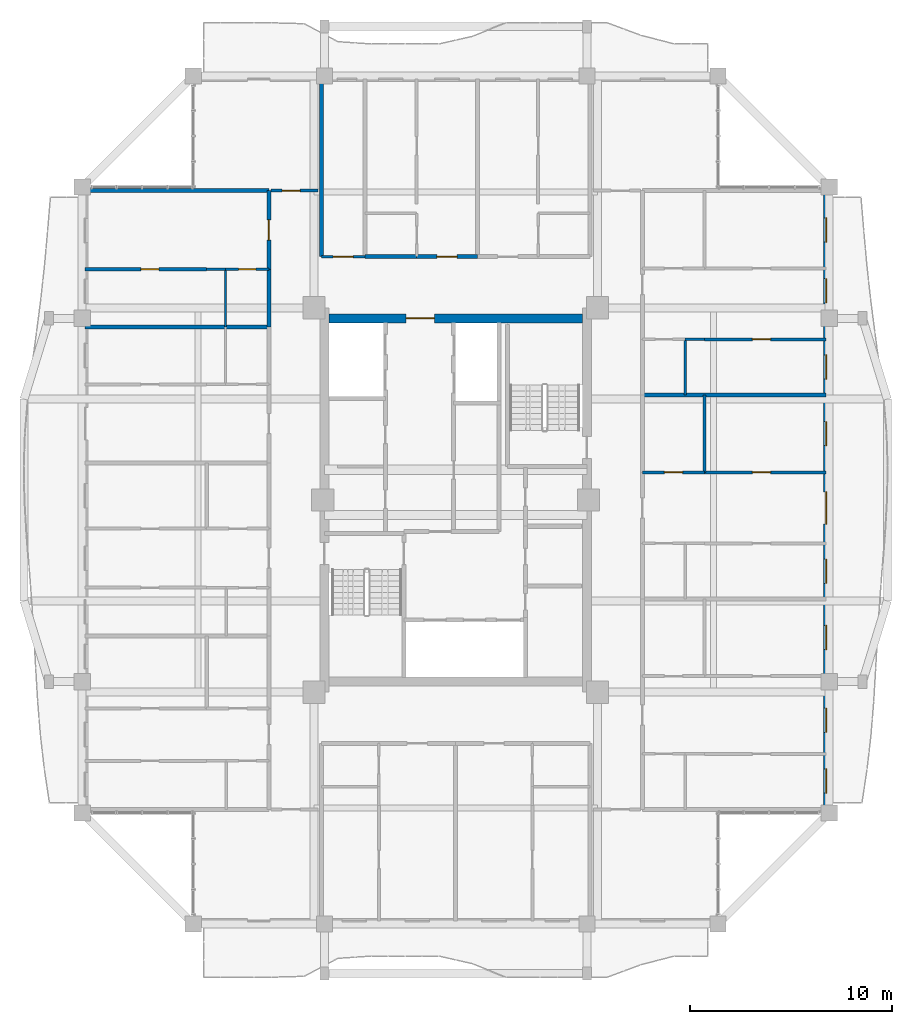
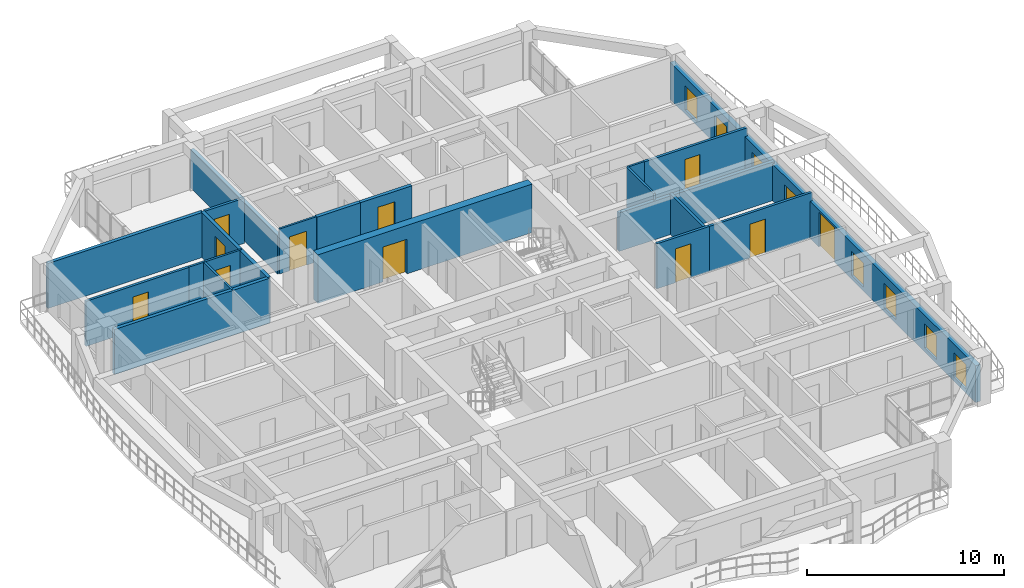
# One storey, part 14 of 22: 22 walls, 11 doors, 8 windows, 19 openings.
"""IFC4 building model written with IfcOpenShell, lengths in metres."""

import ifcopenshell
import ifcopenshell.guid

model = None  # the IFC model being written
_history = None  # IfcOwnerHistory: only IFC2X3 demands one
_inside = {}  # id of a spatial element -> (the spatial element, [elements in it])
_under = {}  # id of a project, library or spatial element -> (it, [spatial elements below it])
_declared = {}  # id of a project -> (the project, [libraries it declares])
_typed = {}  # id of a type object -> (the type object, [elements of that type])
_made_of = {}  # id of a material, layer set ... -> (it, [elements and type objects made of it])


def new_model(schema):
    """Start an empty IFC model of exactly this schema.

    Asked for "IFC4X3", IfcOpenShell would pick the latest addendum, in which some entities
    have other attributes; the version numbers below select the first issue.
    IFC2X3 requires an IfcOwnerHistory on every rooted entity: one is made here for all.
    """
    global model, _history
    if schema == "IFC4X3":
        model = ifcopenshell.file(schema_version=(4, 3, 0, 0))
    else:
        model = ifcopenshell.file(schema=schema)
    _inside.clear()
    _under.clear()
    _declared.clear()
    _typed.clear()
    _made_of.clear()
    _history = None
    if model.schema == "IFC2X3":
        org = make("IfcOrganization", Name="unknown")
        user = make(
            "IfcPersonAndOrganization",
            ThePerson=make("IfcPerson", FamilyName="unknown"),
            TheOrganization=org,
        )
        app = make(
            "IfcApplication",
            ApplicationDeveloper=org,
            Version="unknown",
            ApplicationFullName="unknown",
            ApplicationIdentifier="unknown",
        )
        _history = make(
            "IfcOwnerHistory",
            OwningUser=user,
            OwningApplication=app,
            ChangeAction="ADDED",
            CreationDate=0,
        )
    return model


def make(cls, **values):
    """One entity of the class cls with the attributes given. An attribute that is None is left unset."""
    return model.create_entity(
        cls, **{name: value for name, value in values.items() if value is not None}
    )


def rooted(cls, **values):
    """An entity with a GlobalId (a new one), such as an element, a storey or a relation."""
    return make(cls, GlobalId=ifcopenshell.guid.new(), OwnerHistory=_history, **values)


def si_unit(unit_type, name, prefix=None):
    """IfcSIUnit, for example si_unit("LENGTHUNIT", "METRE", prefix="MILLI")."""
    return make("IfcSIUnit", UnitType=unit_type, Prefix=prefix, Name=name)


def assignment(units):
    """IfcUnitAssignment: the units of a project."""
    return None if units is None else make("IfcUnitAssignment", Units=units)


def point(xyz):
    """IfcCartesianPoint."""
    return None if xyz is None else make("IfcCartesianPoint", Coordinates=xyz)


def direction(xyz):
    """IfcDirection."""
    return None if xyz is None else make("IfcDirection", DirectionRatios=xyz)


def frame(location, z_axis=None, x_axis=None):
    """IfcAxis2Placement3D, a coordinate frame: its origin and axes. An axis left out is left unset."""
    return make(
        "IfcAxis2Placement3D",
        Location=point(location),
        Axis=direction(z_axis),
        RefDirection=direction(x_axis),
    )


def frame_2d(location, x_axis=None):
    """IfcAxis2Placement2D, a coordinate frame in the plane: its origin and x axis."""
    return make(
        "IfcAxis2Placement2D", Location=point(location), RefDirection=direction(x_axis)
    )


def origin():
    """The frame at (0, 0, 0) with its axes left unset."""
    return frame((0.0, 0.0, 0.0))


def place(relative_to, where):
    """IfcLocalPlacement: puts the frame where relative to a parent placement (None: the world)."""
    return make(
        "IfcLocalPlacement", PlacementRelTo=relative_to, RelativePlacement=where
    )


def context(
    kind, dimensions, precision=None, world=None, true_north=None, identifier=None
):
    """IfcGeometricRepresentationContext, for example the 3D "Model" context."""
    return make(
        "IfcGeometricRepresentationContext",
        ContextIdentifier=identifier,
        ContextType=kind,
        CoordinateSpaceDimension=dimensions,
        Precision=precision,
        WorldCoordinateSystem=world,
        TrueNorth=true_north,
    )


def subcontext(parent, identifier, kind, view, scale=None):
    """IfcGeometricRepresentationSubContext, for example "Body" below "Model"."""
    return make(
        "IfcGeometricRepresentationSubContext",
        ContextIdentifier=identifier,
        ContextType=kind,
        ParentContext=parent,
        TargetScale=scale,
        TargetView=view,
    )


def project(units=None, contexts=None):
    """IfcProject with its units and contexts."""
    return rooted(
        "IfcProject",
        Name="project",
        RepresentationContexts=contexts,
        UnitsInContext=assignment(units),
    )


def spatial(cls, under=None, at=None, **own):
    """A site, building, storey or space (cls), placed at a placement, below another one or the project."""
    s = rooted(cls, ObjectPlacement=at, **own)
    if under is not None:
        _under.setdefault(under.id(), (under, []))[1].append(s)
    return s


def profile(cls, at=None, kind="AREA", **sizes):
    """A parametric profile (cls). Its sizes go by their IFC names, for example OverallWidth=200.0."""
    return make(cls, ProfileType=kind, Position=at, **sizes)


def rectangle(**sizes):
    """IfcRectangleProfileDef."""
    return profile("IfcRectangleProfileDef", **sizes)


def extrude(swept, where, along, depth):
    """IfcExtrudedAreaSolid: the profile swept, set in the frame where, extruded along a direction by depth."""
    return make(
        "IfcExtrudedAreaSolid",
        SweptArea=swept,
        Position=where,
        ExtrudedDirection=direction(along),
        Depth=depth,
    )


def shape(context_of_items, identifier, shape_type, items):
    """IfcShapeRepresentation: the items that make up one representation, for example the "Body"."""
    return make(
        "IfcShapeRepresentation",
        ContextOfItems=context_of_items,
        RepresentationIdentifier=identifier,
        RepresentationType=shape_type,
        Items=items,
    )


def source(mapping_origin, context_of_items, identifier, shape_type, items):
    """IfcRepresentationMap: a shape defined once, which mapped items show again and again."""
    return make(
        "IfcRepresentationMap",
        MappingOrigin=mapping_origin,
        MappedRepresentation=shape(context_of_items, identifier, shape_type, items),
    )


def transform(
    local_origin,
    x_axis=None,
    y_axis=None,
    z_axis=None,
    scale=None,
    scale2=None,
    scale3=None,
    uniform=True,
):
    """IfcCartesianTransformationOperator3D, or its non-uniform kind. x_axis, y_axis, z_axis: its Axis1, 2, 3."""
    if uniform:
        return make(
            "IfcCartesianTransformationOperator3D",
            Axis1=direction(x_axis),
            Axis2=direction(y_axis),
            LocalOrigin=point(local_origin),
            Scale=scale,
            Axis3=direction(z_axis),
        )
    return make(
        "IfcCartesianTransformationOperator3DnonUniform",
        Axis1=direction(x_axis),
        Axis2=direction(y_axis),
        LocalOrigin=point(local_origin),
        Scale=scale,
        Axis3=direction(z_axis),
        Scale2=scale2,
        Scale3=scale3,
    )


def mapped(mapping_source, mapping_target):
    """IfcMappedItem: shows the shape of a source again, moved by a transform."""
    return make(
        "IfcMappedItem", MappingSource=mapping_source, MappingTarget=mapping_target
    )


def material(Name=None, Category=None):
    """IfcMaterial."""
    return make("IfcMaterial", Name=Name, Category=Category)


def layer(
    of_material, thickness, ventilated=None, Name=None, Category=None, Priority=None
):
    """IfcMaterialLayer: one layer of a wall or slab, of a material (None: an air gap)."""
    return make(
        "IfcMaterialLayer",
        Material=of_material,
        LayerThickness=thickness,
        IsVentilated=ventilated,
        Name=Name,
        Category=Category,
        Priority=Priority,
    )


def layer_set(layers, Name=None):
    """IfcMaterialLayerSet."""
    return make("IfcMaterialLayerSet", MaterialLayers=layers, LayerSetName=Name)


def made_of(thing, what):
    """Note that an element or type object is made of a material, layer set ...; save() writes the relation."""
    if what is not None:
        _made_of.setdefault(what.id(), (what, []))[1].append(thing)
    return thing


def type_object(cls, material=None, **own):
    """A type object (cls), such as IfcWallType, which elements share."""
    return made_of(rooted(cls, **own), material)


def element(
    cls,
    number,
    at=None,
    inside=None,
    cuts=None,
    type_object=None,
    material=None,
    context=None,
    identifier="Body",
    shape_type=None,
    held_by="IfcProductDefinitionShape",
    body=None,
    shapes=None,
    **own,
):
    """One element of the class cls, such as IfcWall. Its Tag is "e" and its number.

    at: its placement. inside: the storey or other place that contains it. cuts: it is an
    opening in that element (IfcRelVoidsElement). A single representation is given by context,
    identifier, shape_type and body (its items); several are given by shapes. held_by: the class
    of the entity that holds the representations. save() writes the other relations.
    """
    e = rooted(cls, Tag="e%d" % number, ObjectPlacement=at, **own)
    if body is not None:
        shapes = [shape(context, identifier, shape_type, body)]
    if shapes is not None:
        e.Representation = make(held_by, Representations=shapes)
    if inside is not None:
        _inside.setdefault(inside.id(), (inside, []))[1].append(e)
    if cuts is not None:
        rooted(
            "IfcRelVoidsElement", RelatingBuildingElement=cuts, RelatedOpeningElement=e
        )
    if type_object is not None:
        _typed.setdefault(type_object.id(), (type_object, []))[1].append(e)
    return made_of(e, material)


def fill(opening, filler):
    """IfcRelFillsElement: the door or window that sits in an opening."""
    return rooted(
        "IfcRelFillsElement",
        RelatingOpeningElement=opening,
        RelatedBuildingElement=filler,
    )


def aggregate(whole, parts):
    """IfcRelAggregates: a whole, such as a stair, and the parts it consists of."""
    return rooted("IfcRelAggregates", RelatingObject=whole, RelatedObjects=parts)


def save(model, path):
    """Write the relations noted so far, then the file.

    IfcRelAggregates (storeys below a building ...), IfcRelContainedInSpatialStructure (elements
    in a storey), IfcRelDefinesByType, IfcRelAssociatesMaterial and IfcRelDeclares: one each for
    every whole, place, type object, material and project.
    """
    for whole, parts in _under.values():
        aggregate(whole, parts)
    for where, things in _inside.values():
        rooted(
            "IfcRelContainedInSpatialStructure",
            RelatedElements=things,
            RelatingStructure=where,
        )
    for kind, things in _typed.values():
        rooted("IfcRelDefinesByType", RelatedObjects=things, RelatingType=kind)
    for what, things in _made_of.values():
        rooted("IfcRelAssociatesMaterial", RelatedObjects=things, RelatingMaterial=what)
    for by, libraries in _declared.values():
        rooted("IfcRelDeclares", RelatingContext=by, RelatedDefinitions=libraries)
    model.write(path)


model = new_model("IFC4")

# Units and contexts
model_context = context("Model", 3, precision=1e-05, world=origin(), true_north=direction((0.0, 1.0)))
body_context = subcontext(model_context, "Body", "Model", "MODEL_VIEW")
ifc_project = project(units=[si_unit("LENGTHUNIT", "METRE"), si_unit("AREAUNIT", "SQUARE_METRE"), si_unit("VOLUMEUNIT", "CUBIC_METRE"), si_unit("PLANEANGLEUNIT", "RADIAN"), si_unit("MASSUNIT", "GRAM", prefix="KILO")], contexts=[model_context])

# Site, building, storey
site_placement = place(None, origin())
site = spatial("IfcSite", under=ifc_project, at=site_placement, CompositionType="ELEMENT")
building_placement = place(site_placement, origin())
building = spatial("IfcBuilding", under=site, at=building_placement, Name="Saelheon Loggia Tower", CompositionType="ELEMENT")
storey_placement = place(building_placement, frame((0.0, 0.0, 196.60009765625)))
storey = spatial("IfcBuildingStorey", under=building, at=storey_placement, Name="L61", CompositionType="ELEMENT", Elevation=196.60009765625)

# Wall, opening, door
ifc_material_1 = material(Name="Concrete C45/55", Category="concrete")
ifc_layer_1 = layer(ifc_material_1, 0.449951171875)
ifc_layer_set_1 = layer_set([ifc_layer_1], Name="Concrete C45/55")
wall_type_1 = type_object("IfcWallType", Name="Wall_CoreShear_450", PredefinedType="SHEAR", material=ifc_layer_set_1)
wall_1_placement = place(storey_placement, frame((31.72509765625, 36.0, 0.0), z_axis=(0.0, 0.0, 1.0), x_axis=(1.0, 0.0, 0.0)))
wall_1 = element("IfcWall", 1, at=wall_1_placement, inside=storey, type_object=wall_type_1, Name="L61 Core Shear Wall North", PredefinedType="SHEAR", context=body_context, shape_type="SweptSolid", body=[
    extrude(rectangle(XDim=12.5498046875, YDim=0.449951171875, at=frame_2d((6.27490234375, 0.0))), origin(), (0.0, 0.0, 1.0), 3.0),
])
opening_1_placement = place(wall_1_placement, frame((5.224853515625, 0.0, 0.0), z_axis=(0.0, 0.0, 1.0), x_axis=(-1.0, 0.0, 0.0)))
opening_1 = element("IfcOpeningElement", 2, at=opening_1_placement, cuts=wall_1, Name="Opening D-FD2L", PredefinedType="OPENING", context=body_context, shape_type="SweptSolid", body=[
    extrude(rectangle(XDim=1.39990234375, YDim=2.14990234375, at=frame_2d((0.699951171875, 1.074951171875))), frame((0.0, 0.237060546875, 0.0), z_axis=(0.0, -1.0, 0.0), x_axis=(1.0, 0.0, 0.0)), (0.0, 0.0, 1.0), 0.473876953125),
])
ifc_material_2 = material(Name="Galvanised Steel Glazed Lobby Fire Door", Category="steel")
door_type_1 = type_object("IfcDoorType", Name="Door_Fire_FD60_1400", OperationType="NOTDEFINED", PredefinedType="DOOR", material=ifc_material_2)
shared_shape_1 = source(origin(), body_context, "Body", "SweptSolid", [
    extrude(rectangle(XDim=1.39990234375, YDim=2.14990234375, at=frame_2d((0.699951171875, 1.074951171875))), frame((0.0, 0.02490234375, 0.0), z_axis=(0.0, -1.0, 0.0), x_axis=(1.0, 0.0, 0.0)), (0.0, 0.0, 1.0), 0.050048828125),
])
door_1_placement = place(opening_1_placement, origin())
door_1 = element("IfcDoor", 3, at=door_1_placement, inside=storey, type_object=door_type_1, Name="L61 Passenger Lift Lobby Main Door", OperationType="SINGLE_SWING_RIGHT", OverallHeight=2.14990234375, OverallWidth=1.39990234375, PredefinedType="DOOR", context=body_context, shape_type="MappedRepresentation", body=[
    mapped(shared_shape_1, transform((0.0, 0.0, 0.0), scale=1.0)),
])
fill(opening_1, door_1)

# Wall, openings, windows, door
ifc_material_3 = material(Name="Architectural Precast Concrete C40/50", Category="concrete")
ifc_layer_2 = layer(ifc_material_3, 0.280029296875)
ifc_layer_set_2 = layer_set([ifc_layer_2], Name="Architectural Precast Concrete C40/50")
wall_type_2 = type_object("IfcWallType", Name="Wall_Ext_Loggia_280", PredefinedType="SOLIDWALL", material=ifc_layer_set_2)
wall_2_placement = place(storey_placement, frame((56.360107421875, 11.5, 0.0), z_axis=(0.0, 0.0, 1.0), x_axis=(0.0, 1.0, 0.0)))
wall_2 = element("IfcWall", 4, at=wall_2_placement, inside=storey, type_object=wall_type_2, Name="L61 East Loggia Inner Wall", PredefinedType="SOLIDWALL", context=body_context, shape_type="SweptSolid", body=[
    extrude(rectangle(XDim=31.0, YDim=0.280029296875, at=frame_2d((15.5, 0.0))), origin(), (0.0, 0.0, 1.0), 2.27978515625),
])
opening_2_placement = place(wall_2_placement, frame((0.985107421875, 0.0, 0.25)))
opening_2 = element("IfcOpeningElement", 5, at=opening_2_placement, cuts=wall_2, Name="Opening WN-03", PredefinedType="OPENING", context=body_context, shape_type="SweptSolid", body=[
    extrude(rectangle(XDim=1.199951171875, YDim=1.5, at=frame_2d((0.60009765625, 0.75))), frame((0.0, 0.152099609375, 0.0), z_axis=(0.0, -1.0, 0.0), x_axis=(1.0, 0.0, 0.0)), (0.0, 0.0, 1.0), 0.303955078125),
])
opening_3_placement = place(wall_2_placement, frame((3.9951171875, 0.0, 0.25)))
opening_3 = element("IfcOpeningElement", 6, at=opening_3_placement, cuts=wall_2, Name="Opening WN-03", PredefinedType="OPENING", context=body_context, shape_type="SweptSolid", body=[
    extrude(rectangle(XDim=1.199951171875, YDim=1.5, at=frame_2d((0.60009765625, 0.75))), frame((0.0, 0.152099609375, 0.0), z_axis=(0.0, -1.0, 0.0), x_axis=(1.0, 0.0, 0.0)), (0.0, 0.0, 1.0), 0.303955078125),
])
opening_4_placement = place(wall_2_placement, frame((8.0888671875, 0.0, 0.25)))
opening_4 = element("IfcOpeningElement", 7, at=opening_4_placement, cuts=wall_2, Name="Opening WN-03", PredefinedType="OPENING", context=body_context, shape_type="SweptSolid", body=[
    extrude(rectangle(XDim=1.199951171875, YDim=1.5, at=frame_2d((0.60009765625, 0.75))), frame((0.0, 0.152099609375, 0.0), z_axis=(0.0, -1.0, 0.0), x_axis=(1.0, 0.0, 0.0)), (0.0, 0.0, 1.0), 0.303955078125),
])
opening_5_placement = place(wall_2_placement, frame((11.37255859375, 0.0, 0.25)))
opening_5 = element("IfcOpeningElement", 8, at=opening_5_placement, cuts=wall_2, Name="Opening WN-03", PredefinedType="OPENING", context=body_context, shape_type="SweptSolid", body=[
    extrude(rectangle(XDim=1.199951171875, YDim=1.5, at=frame_2d((0.60009765625, 0.75))), frame((0.0, 0.152099609375, 0.0), z_axis=(0.0, -1.0, 0.0), x_axis=(1.0, 0.0, 0.0)), (0.0, 0.0, 1.0), 0.303955078125),
])
opening_6_placement = place(wall_2_placement, frame((15.906982421875, 0.0, 0.0), z_axis=(0.0, 0.0, 1.0), x_axis=(-1.0, 0.0, 0.0)))
opening_6 = element("IfcOpeningElement", 9, at=opening_6_placement, cuts=wall_2, Name="Opening DLG-1", PredefinedType="OPENING", context=body_context, shape_type="SweptSolid", body=[
    extrude(rectangle(XDim=1.60009765625, YDim=2.14990234375, at=frame_2d((0.800048828125, 1.074951171875))), frame((0.0, 0.152099609375, 0.0), z_axis=(0.0, -1.0, 0.0), x_axis=(1.0, 0.0, 0.0)), (0.0, 0.0, 1.0), 0.303955078125),
])
opening_7_placement = place(wall_2_placement, frame((18.1875, 0.0, 0.25)))
opening_7 = element("IfcOpeningElement", 10, at=opening_7_placement, cuts=wall_2, Name="Opening WN-03", PredefinedType="OPENING", context=body_context, shape_type="SweptSolid", body=[
    extrude(rectangle(XDim=1.199951171875, YDim=1.5, at=frame_2d((0.60009765625, 0.75))), frame((0.0, 0.152099609375, 0.0), z_axis=(0.0, -1.0, 0.0), x_axis=(1.0, 0.0, 0.0)), (0.0, 0.0, 1.0), 0.303955078125),
])
opening_8_placement = place(wall_2_placement, frame((21.48388671875, 0.0, 0.25)))
opening_8 = element("IfcOpeningElement", 11, at=opening_8_placement, cuts=wall_2, Name="Opening WN-03", PredefinedType="OPENING", context=body_context, shape_type="SweptSolid", body=[
    extrude(rectangle(XDim=1.199951171875, YDim=1.5, at=frame_2d((0.60009765625, 0.75))), frame((0.0, 0.152099609375, 0.0), z_axis=(0.0, -1.0, 0.0), x_axis=(1.0, 0.0, 0.0)), (0.0, 0.0, 1.0), 0.303955078125),
])
opening_9_placement = place(wall_2_placement, frame((25.2587890625, 0.0, 0.25)))
opening_9 = element("IfcOpeningElement", 12, at=opening_9_placement, cuts=wall_2, Name="Opening WN-03", PredefinedType="OPENING", context=body_context, shape_type="SweptSolid", body=[
    extrude(rectangle(XDim=1.199951171875, YDim=1.5, at=frame_2d((0.60009765625, 0.75))), frame((0.0, 0.152099609375, 0.0), z_axis=(0.0, -1.0, 0.0), x_axis=(1.0, 0.0, 0.0)), (0.0, 0.0, 1.0), 0.303955078125),
])
opening_10_placement = place(wall_2_placement, frame((28.268798828125, 0.0, 0.25)))
opening_10 = element("IfcOpeningElement", 13, at=opening_10_placement, cuts=wall_2, Name="Opening WN-03", PredefinedType="OPENING", context=body_context, shape_type="SweptSolid", body=[
    extrude(rectangle(XDim=1.199951171875, YDim=1.5, at=frame_2d((0.60009765625, 0.75))), frame((0.0, 0.152099609375, 0.0), z_axis=(0.0, -1.0, 0.0), x_axis=(1.0, 0.0, 0.0)), (0.0, 0.0, 1.0), 0.303955078125),
])
ifc_material_4 = material(Name="Thermal-Break Aluminium and Triple Low-E Glass", Category="aluminium")
window_type = type_object("IfcWindowType", Name="Win_Bedroom_1200x1500", PartitioningType="SINGLE_PANEL", PredefinedType="WINDOW", material=ifc_material_4)
shared_shape_2 = source(origin(), body_context, "Body", "SweptSolid", [
    extrude(rectangle(XDim=1.199951171875, YDim=1.5, at=frame_2d((0.60009765625, 0.75))), frame((0.0, 0.030029296875, 0.0), z_axis=(0.0, -1.0, 0.0), x_axis=(1.0, 0.0, 0.0)), (0.0, 0.0, 1.0), 0.06005859375),
])
window_1_placement = place(opening_2_placement, origin())
window_1 = element("IfcWindow", 14, at=window_1_placement, inside=storey, type_object=window_type, Name="L61 E Dwelling Window 1", OverallHeight=1.5, OverallWidth=1.199951171875, PartitioningType="SINGLE_PANEL", PredefinedType="WINDOW", context=body_context, shape_type="MappedRepresentation", body=[
    mapped(shared_shape_2, transform((0.0, 0.0, 0.0), scale=1.0)),
])
fill(opening_2, window_1)
window_2_placement = place(opening_3_placement, origin())
window_2 = element("IfcWindow", 15, at=window_2_placement, inside=storey, type_object=window_type, Name="L61 E Dwelling Window 2", OverallHeight=1.5, OverallWidth=1.199951171875, PartitioningType="SINGLE_PANEL", PredefinedType="WINDOW", context=body_context, shape_type="MappedRepresentation", body=[
    mapped(shared_shape_2, transform((0.0, 0.0, 0.0), scale=1.0)),
])
fill(opening_3, window_2)
window_3_placement = place(opening_4_placement, origin())
window_3 = element("IfcWindow", 16, at=window_3_placement, inside=storey, type_object=window_type, Name="L61 E Dwelling Window 3", OverallHeight=1.5, OverallWidth=1.199951171875, PartitioningType="SINGLE_PANEL", PredefinedType="WINDOW", context=body_context, shape_type="MappedRepresentation", body=[
    mapped(shared_shape_2, transform((0.0, 0.0, 0.0), scale=1.0)),
])
fill(opening_4, window_3)
window_4_placement = place(opening_5_placement, origin())
window_4 = element("IfcWindow", 17, at=window_4_placement, inside=storey, type_object=window_type, Name="L61 E Dwelling Window 4", OverallHeight=1.5, OverallWidth=1.199951171875, PartitioningType="SINGLE_PANEL", PredefinedType="WINDOW", context=body_context, shape_type="MappedRepresentation", body=[
    mapped(shared_shape_2, transform((0.0, 0.0, 0.0), scale=1.0)),
])
fill(opening_5, window_4)
window_5_placement = place(opening_7_placement, origin())
window_5 = element("IfcWindow", 18, at=window_5_placement, inside=storey, type_object=window_type, Name="L61 E Dwelling Window 6", OverallHeight=1.5, OverallWidth=1.199951171875, PartitioningType="SINGLE_PANEL", PredefinedType="WINDOW", context=body_context, shape_type="MappedRepresentation", body=[
    mapped(shared_shape_2, transform((0.0, 0.0, 0.0), scale=1.0)),
])
fill(opening_7, window_5)
window_6_placement = place(opening_8_placement, origin())
window_6 = element("IfcWindow", 19, at=window_6_placement, inside=storey, type_object=window_type, Name="L61 E Dwelling Window 7", OverallHeight=1.5, OverallWidth=1.199951171875, PartitioningType="SINGLE_PANEL", PredefinedType="WINDOW", context=body_context, shape_type="MappedRepresentation", body=[
    mapped(shared_shape_2, transform((0.0, 0.0, 0.0), scale=1.0)),
])
fill(opening_8, window_6)
window_7_placement = place(opening_9_placement, origin())
window_7 = element("IfcWindow", 20, at=window_7_placement, inside=storey, type_object=window_type, Name="L61 E Dwelling Window 8", OverallHeight=1.5, OverallWidth=1.199951171875, PartitioningType="SINGLE_PANEL", PredefinedType="WINDOW", context=body_context, shape_type="MappedRepresentation", body=[
    mapped(shared_shape_2, transform((0.0, 0.0, 0.0), scale=1.0)),
])
fill(opening_9, window_7)
window_8_placement = place(opening_10_placement, origin())
window_8 = element("IfcWindow", 21, at=window_8_placement, inside=storey, type_object=window_type, Name="L61 E Dwelling Window 9", OverallHeight=1.5, OverallWidth=1.199951171875, PartitioningType="SINGLE_PANEL", PredefinedType="WINDOW", context=body_context, shape_type="MappedRepresentation", body=[
    mapped(shared_shape_2, transform((0.0, 0.0, 0.0), scale=1.0)),
])
fill(opening_10, window_8)
ifc_material_5 = material(Name="Thermal-Break Aluminium Sliding Glazed Door", Category="aluminium")
door_type_2 = type_object("IfcDoorType", Name="Door_LoggiaSlide_1600", OperationType="SLIDING_TO_LEFT", PredefinedType="DOOR", material=ifc_material_5)
shared_shape_3 = source(origin(), body_context, "Body", "SweptSolid", [
    extrude(rectangle(XDim=1.60009765625, YDim=2.14990234375, at=frame_2d((0.800048828125, 1.074951171875))), frame((0.0, 0.02490234375, 0.0), z_axis=(0.0, -1.0, 0.0), x_axis=(1.0, 0.0, 0.0)), (0.0, 0.0, 1.0), 0.050048828125),
])
door_2_placement = place(opening_6_placement, origin())
door_2 = element("IfcDoor", 22, at=door_2_placement, inside=storey, type_object=door_type_2, Name="L61 E Loggia Access Door", OperationType="SLIDING_TO_LEFT", OverallHeight=2.14990234375, OverallWidth=1.60009765625, PredefinedType="DOOR", context=body_context, shape_type="MappedRepresentation", body=[
    mapped(shared_shape_3, transform((0.0, 0.0, 0.0), scale=1.0)),
])
fill(opening_6, door_2)

# Wall, opening, door
ifc_material_6 = material(Name="Lightweight Autoclaved Aerated Concrete Block and Acoustic Gypsum", Category="concrete")
ifc_layer_3 = layer(ifc_material_6, 0.14990234375)
ifc_layer_set_3 = layer_set([ifc_layer_3], Name="Lightweight Autoclaved Aerated Concrete Block and Acoustic Gypsum")
wall_type_3 = type_object("IfcWallType", Name="Wall_Part_150", PredefinedType="PARTITIONING", material=ifc_layer_set_3)
wall_3_placement = place(storey_placement, frame((28.85009765625, 42.320068359375, 0.0), z_axis=(0.0, 0.0, 1.0), x_axis=(1.0, 0.0, 0.0)))
wall_3 = element("IfcWall", 23, at=wall_3_placement, inside=storey, type_object=wall_type_3, Name="PW-L61-CNW-H", PredefinedType="PARTITIONING", context=body_context, shape_type="SweptSolid", body=[
    extrude(rectangle(XDim=2.329833984375, YDim=0.14990234375, at=frame_2d((1.1650390625, 0.0))), origin(), (0.0, 0.0, 1.0), 2.789794921875),
])
opening_11_placement = place(wall_3_placement, frame((0.550048828125, 0.0, 0.0)))
opening_11 = element("IfcOpeningElement", 24, at=opening_11_placement, cuts=wall_3, Name="Opening D-IN2", PredefinedType="OPENING", context=body_context, shape_type="SweptSolid", body=[
    extrude(rectangle(XDim=0.89990234375, YDim=2.10009765625, at=frame_2d((0.449951171875, 1.050048828125))), frame((0.0, 0.0869140625, 0.0), z_axis=(0.0, -1.0, 0.0), x_axis=(1.0, 0.0, 0.0)), (0.0, 0.0, 1.0), 0.173828125),
])
ifc_material_7 = material(Name="Engineered Oak Flush Door", Category="timber")
door_type_3 = type_object("IfcDoorType", Name="Door_Int_900", OperationType="NOTDEFINED", PredefinedType="DOOR", material=ifc_material_7)
shared_shape_4 = source(origin(), body_context, "Body", "SweptSolid", [
    extrude(rectangle(XDim=0.89990234375, YDim=2.10009765625, at=frame_2d((0.449951171875, 1.050048828125))), frame((0.0, 0.02490234375, 0.0), z_axis=(0.0, -1.0, 0.0), x_axis=(1.0, 0.0, 0.0)), (0.0, 0.0, 1.0), 0.050048828125),
])
door_3_placement = place(opening_11_placement, origin())
door_3 = element("IfcDoor", 25, at=door_3_placement, inside=storey, type_object=door_type_3, Name="L61 Corner Home Office NW Door", OperationType="SINGLE_SWING_LEFT", OverallHeight=2.10009765625, OverallWidth=0.89990234375, PredefinedType="DOOR", context=body_context, shape_type="MappedRepresentation", body=[
    mapped(shared_shape_4, transform((0.0, 0.0, 0.0), scale=1.0)),
])
fill(opening_11, door_3)

wall_4_placement = place(storey_placement, frame((25.669921875, 38.42919921875, 0.0), z_axis=(0.0, 0.0, 1.0), x_axis=(-1.0, 0.0, 0.0)))
wall_4 = element("IfcWall", 26, at=wall_4_placement, inside=storey, type_object=wall_type_3, Name="L61 W Partition U37", PredefinedType="PARTITIONING", context=body_context, shape_type="SweptSolid", body=[
    extrude(rectangle(XDim=6.02001953125, YDim=0.14990234375, at=frame_2d((3.010009765625, 0.0))), origin(), (0.0, 0.0, 1.0), 2.789794921875),
])
opening_12_placement = place(wall_4_placement, frame((2.36669921875, 0.0, 0.0)))
opening_12 = element("IfcOpeningElement", 27, at=opening_12_placement, cuts=wall_4, Name="Opening D-IN2", PredefinedType="OPENING", context=body_context, shape_type="SweptSolid", body=[
    extrude(rectangle(XDim=0.89990234375, YDim=2.10009765625, at=frame_2d((0.449951171875, 1.050048828125))), frame((0.0, 0.0869140625, 0.0), z_axis=(0.0, -1.0, 0.0), x_axis=(1.0, 0.0, 0.0)), (0.0, 0.0, 1.0), 0.173828125),
])
door_4_placement = place(opening_12_placement, origin())
door_4 = element("IfcDoor", 28, at=door_4_placement, inside=storey, type_object=door_type_3, Name="Unit U08 Kitchen Door", OperationType="SINGLE_SWING_RIGHT", OverallHeight=2.10009765625, OverallWidth=0.89990234375, PredefinedType="DOOR", context=body_context, shape_type="MappedRepresentation", body=[
    mapped(shared_shape_4, transform((0.0, 0.0, 0.0), scale=1.0)),
])
fill(opening_12, door_4)

# Wall
wall_5_placement = place(storey_placement, frame((50.330078125, 28.366455078125, 0.0), z_axis=(0.0, 0.0, 1.0), x_axis=(0.0, 1.0, 0.0)))
element("IfcWall", 29, at=wall_5_placement, inside=storey, type_object=wall_type_3, Name="L61 E Partition V18", PredefinedType="PARTITIONING", context=body_context, shape_type="SweptSolid", body=[
    extrude(rectangle(XDim=3.84228515625, YDim=0.14990234375, at=frame_2d((1.921142578125, 0.0))), origin(), (0.0, 0.0, 1.0), 2.489990234375),
])

# Wall, opening, door
wall_6_placement = place(storey_placement, frame((47.25, 28.366455078125, 0.0), z_axis=(0.0, 0.0, 1.0), x_axis=(1.0, 0.0, 0.0)))
wall_6 = element("IfcWall", 30, at=wall_6_placement, inside=storey, type_object=wall_type_3, Name="L61 E Partition U22", PredefinedType="PARTITIONING", context=body_context, shape_type="SweptSolid", body=[
    extrude(rectangle(XDim=3.080078125, YDim=0.14990234375, at=frame_2d((1.5400390625, 0.0))), origin(), (0.0, 0.0, 1.0), 2.789794921875),
])
opening_13_placement = place(wall_6_placement, frame((1.090087890625, 0.0, 0.0)))
opening_13 = element("IfcOpeningElement", 31, at=opening_13_placement, cuts=wall_6, Name="Opening D-IN2", PredefinedType="OPENING", context=body_context, shape_type="SweptSolid", body=[
    extrude(rectangle(XDim=0.89990234375, YDim=2.10009765625, at=frame_2d((0.449951171875, 1.050048828125))), frame((0.0, 0.0869140625, 0.0), z_axis=(0.0, -1.0, 0.0), x_axis=(1.0, 0.0, 0.0)), (0.0, 0.0, 1.0), 0.173828125),
])
door_5_placement = place(opening_13_placement, origin())
door_5 = element("IfcDoor", 32, at=door_5_placement, inside=storey, type_object=door_type_3, Name="Unit U10 Home Office Door", OperationType="SINGLE_SWING_LEFT", OverallHeight=2.10009765625, OverallWidth=0.89990234375, PredefinedType="DOOR", context=body_context, shape_type="MappedRepresentation", body=[
    mapped(shared_shape_4, transform((0.0, 0.0, 0.0), scale=1.0)),
])
fill(opening_13, door_5)

wall_7_placement = place(storey_placement, frame((50.330078125, 28.366455078125, 0.0), z_axis=(0.0, 0.0, 1.0), x_axis=(1.0, 0.0, 0.0)))
wall_7 = element("IfcWall", 33, at=wall_7_placement, inside=storey, type_object=wall_type_3, Name="L61 E Partition U23", PredefinedType="PARTITIONING", context=body_context, shape_type="SweptSolid", body=[
    extrude(rectangle(XDim=6.02001953125, YDim=0.14990234375, at=frame_2d((3.010009765625, 0.0))), origin(), (0.0, 0.0, 1.0), 2.789794921875),
])
opening_14_placement = place(wall_7_placement, frame((2.36669921875, 0.0, 0.0)))
opening_14 = element("IfcOpeningElement", 34, at=opening_14_placement, cuts=wall_7, Name="Opening D-IN2", PredefinedType="OPENING", context=body_context, shape_type="SweptSolid", body=[
    extrude(rectangle(XDim=0.89990234375, YDim=2.10009765625, at=frame_2d((0.449951171875, 1.050048828125))), frame((0.0, 0.0869140625, 0.0), z_axis=(0.0, -1.0, 0.0), x_axis=(1.0, 0.0, 0.0)), (0.0, 0.0, 1.0), 0.173828125),
])
door_6_placement = place(opening_14_placement, origin())
door_6 = element("IfcDoor", 35, at=door_6_placement, inside=storey, type_object=door_type_3, Name="Unit U10 Bedroom 1 Door", OperationType="SINGLE_SWING_RIGHT", OverallHeight=2.10009765625, OverallWidth=0.89990234375, PredefinedType="DOOR", context=body_context, shape_type="MappedRepresentation", body=[
    mapped(shared_shape_4, transform((0.0, 0.0, 0.0), scale=1.0)),
])
fill(opening_14, door_6)

wall_8_placement = place(storey_placement, frame((50.330078125, 34.958740234375, 0.0), z_axis=(0.0, 0.0, 1.0), x_axis=(1.0, 0.0, 0.0)))
wall_8 = element("IfcWall", 36, at=wall_8_placement, inside=storey, type_object=wall_type_3, Name="L61 E Partition U32", PredefinedType="PARTITIONING", context=body_context, shape_type="SweptSolid", body=[
    extrude(rectangle(XDim=6.02001953125, YDim=0.14990234375, at=frame_2d((3.010009765625, 0.0))), origin(), (0.0, 0.0, 1.0), 2.789794921875),
])
opening_15_placement = place(wall_8_placement, frame((2.36669921875, 0.0, 0.0)))
opening_15 = element("IfcOpeningElement", 37, at=opening_15_placement, cuts=wall_8, Name="Opening D-IN2", PredefinedType="OPENING", context=body_context, shape_type="SweptSolid", body=[
    extrude(rectangle(XDim=0.89990234375, YDim=2.10009765625, at=frame_2d((0.449951171875, 1.050048828125))), frame((0.0, 0.0869140625, 0.0), z_axis=(0.0, -1.0, 0.0), x_axis=(1.0, 0.0, 0.0)), (0.0, 0.0, 1.0), 0.173828125),
])
door_7_placement = place(opening_15_placement, origin())
door_7 = element("IfcDoor", 38, at=door_7_placement, inside=storey, type_object=door_type_3, Name="Unit U11 Kitchen Door", OperationType="SINGLE_SWING_LEFT", OverallHeight=2.10009765625, OverallWidth=0.89990234375, PredefinedType="DOOR", context=body_context, shape_type="MappedRepresentation", body=[
    mapped(shared_shape_4, transform((0.0, 0.0, 0.0), scale=1.0)),
])
fill(opening_15, door_7)

# Walls
ifc_material_8 = material(Name="Double Acoustic Stud and Fireboard Partition", Category="gypsum")
ifc_layer_4 = layer(ifc_material_8, 0.199951171875)
ifc_layer_set_4 = layer_set([ifc_layer_4], Name="Double Acoustic Stud and Fireboard Partition")
wall_type_4 = type_object("IfcWallType", Name="Wall_Party_200", PredefinedType="PARTITIONING", material=ifc_layer_set_4)
wall_9_placement = place(storey_placement, frame((31.35009765625, 39.050048828125, 0.0), z_axis=(0.0, 0.0, 1.0), x_axis=(0.0, 1.0, 0.0)))
element("IfcWall", 39, at=wall_9_placement, inside=storey, type_object=wall_type_4, Name="L61 N Partition U01", PredefinedType="PARTITIONING", context=body_context, shape_type="SweptSolid", body=[
    extrude(rectangle(XDim=8.800048828125, YDim=0.199951171875, at=frame_2d((4.39990234375, 0.0))), origin(), (0.0, 0.0, 1.0), 2.389892578125),
])
wall_10_placement = place(storey_placement, frame((33.5, 39.050048828125, 0.0), z_axis=(0.0, 0.0, 1.0), x_axis=(1.0, 0.0, 0.0)))
element("IfcWall", 40, at=wall_10_placement, inside=storey, type_object=wall_type_4, Name="L61 N Partition V05", PredefinedType="PARTITIONING", context=body_context, shape_type="SweptSolid", body=[
    extrude(rectangle(XDim=2.564453125, YDim=0.199951171875, at=frame_2d((1.2822265625, 0.0))), origin(), (0.0, 0.0, 1.0), 2.789794921875),
])

# Wall, opening, door
wall_11_placement = place(storey_placement, frame((36.064453125, 39.050048828125, 0.0), z_axis=(0.0, 0.0, 1.0), x_axis=(1.0, 0.0, 0.0)))
wall_11 = element("IfcWall", 41, at=wall_11_placement, inside=storey, type_object=wall_type_4, Name="L61 N Partition V06", PredefinedType="PARTITIONING", context=body_context, shape_type="SweptSolid", body=[
    extrude(rectangle(XDim=3.010498046875, YDim=0.199951171875, at=frame_2d((1.50537109375, 0.0))), origin(), (0.0, 0.0, 1.0), 2.789794921875),
])
opening_16_placement = place(wall_11_placement, frame((1.00537109375, 0.0, 0.0)))
opening_16 = element("IfcOpeningElement", 42, at=opening_16_placement, cuts=wall_11, Name="Opening D-FD1", PredefinedType="OPENING", context=body_context, shape_type="SweptSolid", body=[
    extrude(rectangle(XDim=1.0, YDim=2.14990234375, at=frame_2d((0.5, 1.074951171875))), frame((0.0, 0.112060546875, 0.0), z_axis=(0.0, -1.0, 0.0), x_axis=(1.0, 0.0, 0.0)), (0.0, 0.0, 1.0), 0.223876953125),
])
ifc_material_9 = material(Name="Fire-Rated Engineered Timber Entrance Door", Category="wood")
door_type_4 = type_object("IfcDoorType", Name="Door_Flat_FD30S", OperationType="NOTDEFINED", PredefinedType="DOOR", material=ifc_material_9)
shared_shape_5 = source(origin(), body_context, "Body", "SweptSolid", [
    extrude(rectangle(XDim=1.0, YDim=2.14990234375, at=frame_2d((0.5, 1.074951171875))), frame((0.0, 0.02490234375, 0.0), z_axis=(0.0, -1.0, 0.0), x_axis=(1.0, 0.0, 0.0)), (0.0, 0.0, 1.0), 0.050048828125),
])
door_8_placement = place(opening_16_placement, origin())
door_8 = element("IfcDoor", 43, at=door_8_placement, inside=storey, type_object=door_type_4, Name="Unit U03 Entrance Door", OperationType="SINGLE_SWING_LEFT", OverallHeight=2.14990234375, OverallWidth=1.0, PredefinedType="DOOR", context=body_context, shape_type="MappedRepresentation", body=[
    mapped(shared_shape_5, transform((0.0, 0.0, 0.0), scale=1.0)),
])
fill(opening_16, door_8)

# Walls
for number, where, z_axis, x_axis, name in (
    (44, (28.75, 42.320068359375, 0.0), (0.0, 0.0, 1.0), (-1.0, 0.0, 0.0), "L61 W Partition U02"),
    (45, (28.75, 35.5791015625, 0.0), (0.0, 0.0, 1.0), (-1.0, 0.0, 0.0), "L61 W Partition U31"),
):
    element("IfcWall", number, at=place(storey_placement, frame(where, z_axis=z_axis, x_axis=x_axis)), inside=storey, type_object=wall_type_4, Name=name, PredefinedType="PARTITIONING", context=body_context, shape_type="SweptSolid", body=[
        extrude(rectangle(XDim=9.10009765625, YDim=0.199951171875, at=frame_2d((4.550048828125, 0.0))), origin(), (0.0, 0.0, 1.0), 2.789794921875),
    ])
wall_12_placement = place(storey_placement, frame((28.75, 35.5791015625, 0.0), z_axis=(0.0, 0.0, 1.0), x_axis=(0.0, 1.0, 0.0)))
element("IfcWall", 46, at=wall_12_placement, inside=storey, type_object=wall_type_4, Name="L61 W Partition V32", PredefinedType="PARTITIONING", context=body_context, shape_type="SweptSolid", body=[
    extrude(rectangle(XDim=2.85009765625, YDim=0.199951171875, at=frame_2d((1.425048828125, 0.0))), origin(), (0.0, 0.0, 1.0), 2.789794921875),
])

# Wall, opening, door
wall_13_placement = place(storey_placement, frame((28.75, 38.42919921875, 0.0), z_axis=(0.0, 0.0, 1.0), x_axis=(0.0, 1.0, 0.0)))
wall_13 = element("IfcWall", 47, at=wall_13_placement, inside=storey, type_object=wall_type_4, Name="L61 W Partition V33", PredefinedType="PARTITIONING", context=body_context, shape_type="SweptSolid", body=[
    extrude(rectangle(XDim=3.890869140625, YDim=0.199951171875, at=frame_2d((1.9453125, 0.0))), origin(), (0.0, 0.0, 1.0), 2.789794921875),
])
opening_17_placement = place(wall_13_placement, frame((1.4453125, 0.0, 0.0)))
opening_17 = element("IfcOpeningElement", 48, at=opening_17_placement, cuts=wall_13, Name="Opening D-FD1", PredefinedType="OPENING", context=body_context, shape_type="SweptSolid", body=[
    extrude(rectangle(XDim=1.0, YDim=2.14990234375, at=frame_2d((0.5, 1.074951171875))), frame((0.0, 0.112060546875, 0.0), z_axis=(0.0, -1.0, 0.0), x_axis=(1.0, 0.0, 0.0)), (0.0, 0.0, 1.0), 0.223876953125),
])
door_9_placement = place(opening_17_placement, origin())
door_9 = element("IfcDoor", 49, at=door_9_placement, inside=storey, type_object=door_type_4, Name="Unit U08 Entrance Door", OperationType="SINGLE_SWING_RIGHT", OverallHeight=2.14990234375, OverallWidth=1.0, PredefinedType="DOOR", context=body_context, shape_type="MappedRepresentation", body=[
    mapped(shared_shape_5, transform((0.0, 0.0, 0.0), scale=1.0)),
])
fill(opening_17, door_9)

# Wall
wall_14_placement = place(storey_placement, frame((47.25, 32.208740234375, 0.0), z_axis=(0.0, 0.0, 1.0), x_axis=(1.0, 0.0, 0.0)))
element("IfcWall", 50, at=wall_14_placement, inside=storey, type_object=wall_type_4, Name="L61 E Partition U24", PredefinedType="PARTITIONING", context=body_context, shape_type="SweptSolid", body=[
    extrude(rectangle(XDim=9.10009765625, YDim=0.199951171875, at=frame_2d((4.550048828125, 0.0))), origin(), (0.0, 0.0, 1.0), 2.389892578125),
])

# Wall, opening, door
ifc_material_10 = material(Name="Moisture-Resistant Cement Board Partition", Category="gypsum")
ifc_layer_5 = layer(ifc_material_10, 0.1201171875)
ifc_layer_set_5 = layer_set([ifc_layer_5], Name="Moisture-Resistant Cement Board Partition")
wall_type_5 = type_object("IfcWallType", Name="Wall_WetPart_120", PredefinedType="PARTITIONING", material=ifc_layer_set_5)
wall_15_placement = place(storey_placement, frame((31.35009765625, 39.050048828125, 0.0), z_axis=(0.0, 0.0, 1.0), x_axis=(1.0, 0.0, 0.0)))
wall_15 = element("IfcWall", 51, at=wall_15_placement, inside=storey, type_object=wall_type_5, Name="L61 N Partition V04", PredefinedType="PARTITIONING", context=body_context, shape_type="SweptSolid", body=[
    extrude(rectangle(XDim=2.14990234375, YDim=0.1201171875, at=frame_2d((1.074951171875, 0.0))), origin(), (0.0, 0.0, 1.0), 2.789794921875),
])
opening_18_placement = place(wall_15_placement, frame((0.574951171875, 0.0, 0.0)))
opening_18 = element("IfcOpeningElement", 52, at=opening_18_placement, cuts=wall_15, Name="Opening D-AC1", PredefinedType="OPENING", context=body_context, shape_type="SweptSolid", body=[
    extrude(rectangle(XDim=1.0, YDim=2.10009765625, at=frame_2d((0.5, 1.050048828125))), frame((0.0, 0.072021484375, 0.0), z_axis=(0.0, -1.0, 0.0), x_axis=(1.0, 0.0, 0.0)), (0.0, 0.0, 1.0), 0.14404296875),
])
ifc_material_11 = material(Name="Accessible Laminate Flush Door", Category="timber")
door_type_5 = type_object("IfcDoorType", Name="Door_Acc_1000", OperationType="NOTDEFINED", PredefinedType="DOOR", material=ifc_material_11)
shared_shape_6 = source(origin(), body_context, "Body", "SweptSolid", [
    extrude(rectangle(XDim=1.0, YDim=2.10009765625, at=frame_2d((0.5, 1.050048828125))), frame((0.0, 0.02490234375, 0.0), z_axis=(0.0, -1.0, 0.0), x_axis=(1.0, 0.0, 0.0)), (0.0, 0.0, 1.0), 0.050048828125),
])
door_10_placement = place(opening_18_placement, origin())
door_10 = element("IfcDoor", 53, at=door_10_placement, inside=storey, type_object=door_type_5, Name="L61 Floor Accessible WC Door", OperationType="SINGLE_SWING_RIGHT", OverallHeight=2.10009765625, OverallWidth=1.0, PredefinedType="DOOR", context=body_context, shape_type="MappedRepresentation", body=[
    mapped(shared_shape_6, transform((0.0, 0.0, 0.0), scale=1.0)),
])
fill(opening_18, door_10)

wall_16_placement = place(storey_placement, frame((28.75, 38.42919921875, 0.0), z_axis=(0.0, 0.0, 1.0), x_axis=(-1.0, 0.0, 0.0)))
wall_16 = element("IfcWall", 54, at=wall_16_placement, inside=storey, type_object=wall_type_5, Name="L61 W Partition U34", PredefinedType="PARTITIONING", context=body_context, shape_type="SweptSolid", body=[
    extrude(rectangle(XDim=2.14990234375, YDim=0.1201171875, at=frame_2d((1.074951171875, 0.0))), origin(), (0.0, 0.0, 1.0), 2.789794921875),
])
opening_19_placement = place(wall_16_placement, frame((0.64990234375, 0.0, 0.0)))
opening_19 = element("IfcOpeningElement", 55, at=opening_19_placement, cuts=wall_16, Name="Opening D-BT1", PredefinedType="OPENING", context=body_context, shape_type="SweptSolid", body=[
    extrude(rectangle(XDim=0.85009765625, YDim=2.050048828125, at=frame_2d((0.425048828125, 1.02490234375))), frame((0.0, 0.072021484375, 0.0), z_axis=(0.0, -1.0, 0.0), x_axis=(1.0, 0.0, 0.0)), (0.0, 0.0, 1.0), 0.14404296875),
])
ifc_material_12 = material(Name="Moisture-Resistant Laminate Timber Door", Category="wood")
door_type_6 = type_object("IfcDoorType", Name="Door_Bath_850", OperationType="NOTDEFINED", PredefinedType="DOOR", material=ifc_material_12)
shared_shape_7 = source(origin(), body_context, "Body", "SweptSolid", [
    extrude(rectangle(XDim=0.85009765625, YDim=2.050048828125, at=frame_2d((0.425048828125, 1.02490234375))), frame((0.0, 0.02490234375, 0.0), z_axis=(0.0, -1.0, 0.0), x_axis=(1.0, 0.0, 0.0)), (0.0, 0.0, 1.0), 0.050048828125),
])
door_11_placement = place(opening_19_placement, origin())
door_11 = element("IfcDoor", 56, at=door_11_placement, inside=storey, type_object=door_type_6, Name="Unit U08 Bathroom Door", OperationType="SINGLE_SWING_LEFT", OverallHeight=2.050048828125, OverallWidth=0.85009765625, PredefinedType="DOOR", context=body_context, shape_type="MappedRepresentation", body=[
    mapped(shared_shape_7, transform((0.0, 0.0, 0.0), scale=1.0)),
])
fill(opening_19, door_11)

# Walls
wall_17_placement = place(storey_placement, frame((26.60009765625, 38.42919921875, 0.0), z_axis=(0.0, 0.0, 1.0), x_axis=(-1.0, 0.0, 0.0)))
element("IfcWall", 57, at=wall_17_placement, inside=storey, type_object=wall_type_5, Name="L61 W Partition U35", PredefinedType="PARTITIONING", context=body_context, shape_type="SweptSolid", body=[
    extrude(rectangle(XDim=0.93017578125, YDim=0.1201171875, at=frame_2d((0.465087890625, 0.0))), origin(), (0.0, 0.0, 1.0), 2.789794921875),
])
wall_18_placement = place(storey_placement, frame((26.60009765625, 35.5791015625, 0.0), z_axis=(0.0, 0.0, 1.0), x_axis=(0.0, 1.0, 0.0)))
element("IfcWall", 58, at=wall_18_placement, inside=storey, type_object=wall_type_5, Name="L61 W Partition V36", PredefinedType="PARTITIONING", context=body_context, shape_type="SweptSolid", body=[
    extrude(rectangle(XDim=2.85009765625, YDim=0.1201171875, at=frame_2d((1.425048828125, 0.0))), origin(), (0.0, 0.0, 1.0), 2.789794921875),
])
wall_19_placement = place(storey_placement, frame((49.3701171875, 32.208740234375, 0.0), z_axis=(0.0, 0.0, 1.0), x_axis=(0.0, 1.0, 0.0)))
element("IfcWall", 59, at=wall_19_placement, inside=storey, type_object=wall_type_5, Name="L61 E Partition V28", PredefinedType="PARTITIONING", context=body_context, shape_type="SweptSolid", body=[
    extrude(rectangle(XDim=2.75, YDim=0.1201171875, at=frame_2d((1.375, 0.0))), origin(), (0.0, 0.0, 1.0), 2.789794921875),
])
wall_20_placement = place(storey_placement, frame((49.3701171875, 34.958740234375, 0.0), z_axis=(0.0, 0.0, 1.0), x_axis=(1.0, 0.0, 0.0)))
element("IfcWall", 60, at=wall_20_placement, inside=storey, type_object=wall_type_5, Name="L61 E Partition U31", PredefinedType="PARTITIONING", context=body_context, shape_type="SweptSolid", body=[
    extrude(rectangle(XDim=0.9599609375, YDim=0.1201171875, at=frame_2d((0.47998046875, 0.0))), origin(), (0.0, 0.0, 1.0), 2.789794921875),
])

save(model, "model.ifc")
